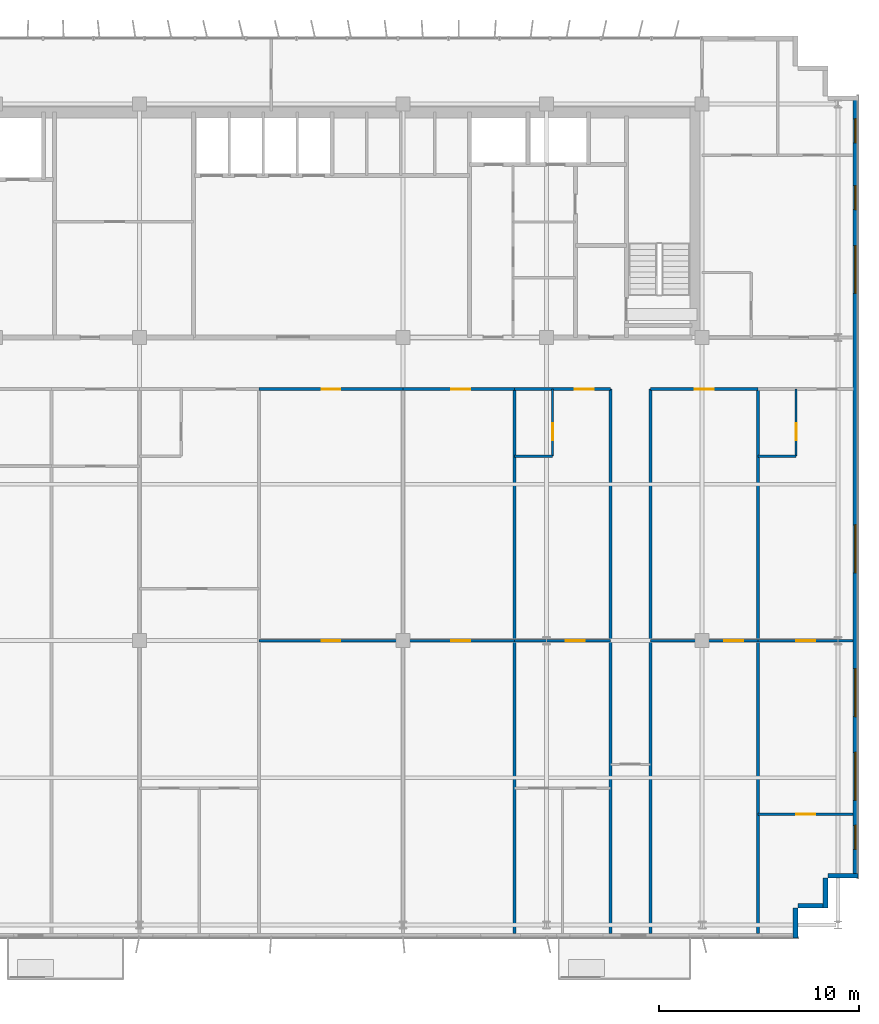
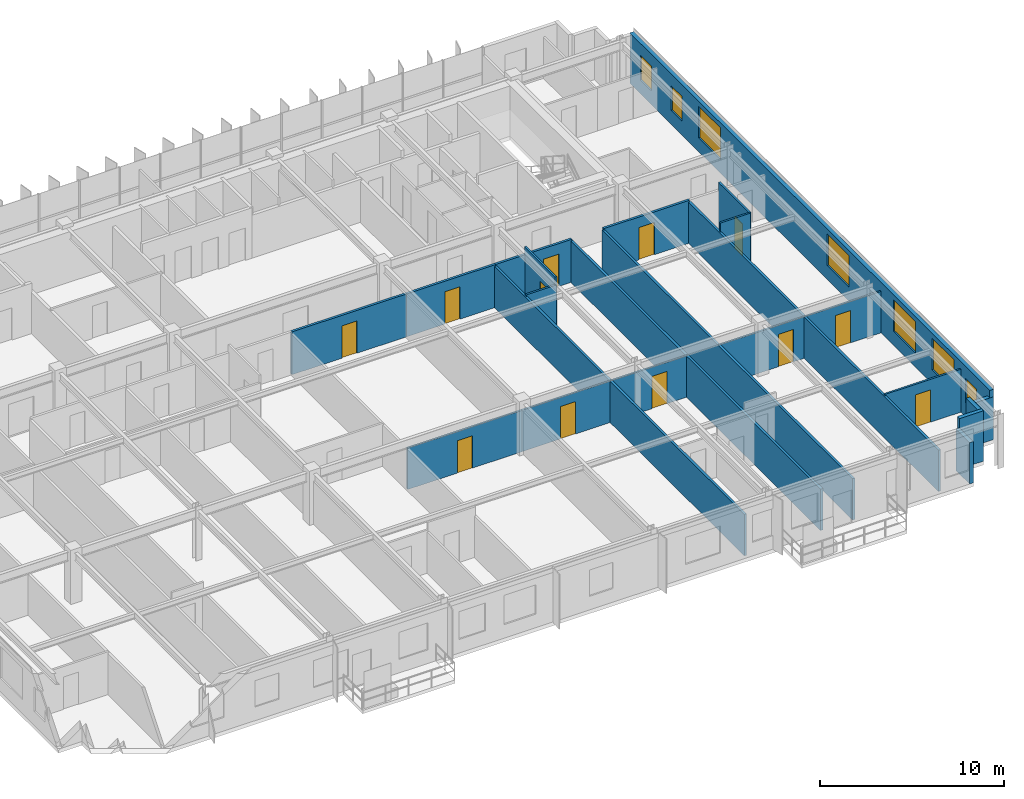
# One storey, part 16 of 21: 23 walls, 12 doors, 7 windows, 19 openings.
"""IFC4 building model written with IfcOpenShell, lengths in metres."""

from ifc_helpers import new_model, si_unit, direction, frame, frame_2d, origin, place, context, subcontext, project, spatial, rectangle, extrude, source, transform, mapped, material, layer, layer_set, type_object, element, fill, save


model = new_model("IFC4")

# Units and contexts
model_context = context("Model", 3, precision=1e-05, world=origin(), true_north=direction((0.0, 1.0)))
body_context = subcontext(model_context, "Body", "Model", "MODEL_VIEW")
ifc_project = project(units=[si_unit("LENGTHUNIT", "METRE"), si_unit("AREAUNIT", "SQUARE_METRE"), si_unit("VOLUMEUNIT", "CUBIC_METRE"), si_unit("PLANEANGLEUNIT", "RADIAN"), si_unit("MASSUNIT", "GRAM", prefix="KILO")], contexts=[model_context])

# Site, building, storey
site_placement = place(None, origin())
site = spatial("IfcSite", under=ifc_project, at=site_placement, CompositionType="ELEMENT")
building_placement = place(site_placement, origin())
building = spatial("IfcBuilding", under=site, at=building_placement, Name="Trelvane Seafront Commons", CompositionType="ELEMENT")
storey_placement = place(building_placement, frame((0.0, 0.0, 157.300048828125)))
storey = spatial("IfcBuildingStorey", under=building, at=storey_placement, Name="L41", CompositionType="ELEMENT", Elevation=157.300048828125)

# Wall, openings, windows
ifc_material_1 = material(Name="Precast concrete C40/50", Category="concrete")
ifc_layer_1 = layer(ifc_material_1, 0.239990234375, Name="ARCH-WALL-EXT240")
ifc_layer_set_1 = layer_set([ifc_layer_1], Name="Precast concrete C40/50")
wall_type_1 = type_object("IfcWallType", Name="ARCH-WALL-EXT240", PredefinedType="SOLIDWALL", material=ifc_layer_set_1)
wall_1_placement = place(storey_placement, frame((66.47998046875, 45.5, 0.0), z_axis=(0.0, 0.0, 1.0), x_axis=(0.0, -1.0, 0.0)))
wall_1 = element("IfcWall", 1, at=wall_1_placement, inside=storey, type_object=wall_type_1, Name="EW-L41-00814", PredefinedType="SOLIDWALL", context=body_context, shape_type="SweptSolid", body=[
    extrude(rectangle(XDim=39.199951171875, YDim=0.239990234375, at=frame_2d((19.60009765625, 0.0))), origin(), (0.0, 0.0, 1.0), 3.349853515625),
])
opening_1_placement = place(wall_1_placement, frame((36.550048828125, 0.0, 0.919921875)))
opening_1 = element("IfcOpeningElement", 2, at=opening_1_placement, cuts=wall_1, Name="Opening W05", PredefinedType="OPENING", context=body_context, shape_type="SweptSolid", body=[
    extrude(rectangle(XDim=1.199951171875, YDim=1.64990234375, at=frame_2d((0.60009765625, 0.824951171875))), frame((0.0, 0.1298828125, 0.0), z_axis=(0.0, -1.0, 0.0), x_axis=(1.0, 0.0, 0.0)), (0.0, 0.0, 1.0), 0.260009765625),
])
opening_2_placement = place(wall_1_placement, frame((32.89990234375, 0.0, 0.919921875)))
opening_2 = element("IfcOpeningElement", 3, at=opening_2_placement, cuts=wall_1, Name="Opening W08", PredefinedType="OPENING", context=body_context, shape_type="SweptSolid", body=[
    extrude(rectangle(XDim=2.39990234375, YDim=2.10009765625, at=frame_2d((1.199951171875, 1.050048828125))), frame((0.0, 0.1298828125, 0.0), z_axis=(0.0, -1.0, 0.0), x_axis=(1.0, 0.0, 0.0)), (0.0, 0.0, 1.0), 0.260009765625),
])
opening_3_placement = place(wall_1_placement, frame((28.699951171875, 0.0, 0.919921875)))
opening_3 = element("IfcOpeningElement", 4, at=opening_3_placement, cuts=wall_1, Name="Opening W08", PredefinedType="OPENING", context=body_context, shape_type="SweptSolid", body=[
    extrude(rectangle(XDim=2.39990234375, YDim=2.10009765625, at=frame_2d((1.199951171875, 1.050048828125))), frame((0.0, 0.1298828125, 0.0), z_axis=(0.0, -1.0, 0.0), x_axis=(1.0, 0.0, 0.0)), (0.0, 0.0, 1.0), 0.260009765625),
])
opening_4_placement = place(wall_1_placement, frame((21.5, 0.0, 0.919921875)))
opening_4 = element("IfcOpeningElement", 5, at=opening_4_placement, cuts=wall_1, Name="Opening W08", PredefinedType="OPENING", context=body_context, shape_type="SweptSolid", body=[
    extrude(rectangle(XDim=2.39990234375, YDim=2.10009765625, at=frame_2d((1.199951171875, 1.050048828125))), frame((0.0, 0.1298828125, 0.0), z_axis=(0.0, -1.0, 0.0), x_axis=(1.0, 0.0, 0.0)), (0.0, 0.0, 1.0), 0.260009765625),
])
opening_5_placement = place(wall_1_placement, frame((7.5, 0.0, 0.919921875)))
opening_5 = element("IfcOpeningElement", 6, at=opening_5_placement, cuts=wall_1, Name="Opening W08", PredefinedType="OPENING", context=body_context, shape_type="SweptSolid", body=[
    extrude(rectangle(XDim=2.39990234375, YDim=2.10009765625, at=frame_2d((1.199951171875, 1.050048828125))), frame((0.0, 0.1298828125, 0.0), z_axis=(0.0, -1.0, 0.0), x_axis=(1.0, 0.0, 0.0)), (0.0, 0.0, 1.0), 0.260009765625),
])
opening_6_placement = place(wall_1_placement, frame((4.5, 0.0, 0.919921875)))
opening_6 = element("IfcOpeningElement", 7, at=opening_6_placement, cuts=wall_1, Name="Opening W05", PredefinedType="OPENING", context=body_context, shape_type="SweptSolid", body=[
    extrude(rectangle(XDim=1.199951171875, YDim=1.64990234375, at=frame_2d((0.60009765625, 0.824951171875))), frame((0.0, 0.1298828125, 0.0), z_axis=(0.0, -1.0, 0.0), x_axis=(1.0, 0.0, 0.0)), (0.0, 0.0, 1.0), 0.260009765625),
])
opening_7_placement = place(wall_1_placement, frame((1.14990234375, 0.0, 0.919921875)))
opening_7 = element("IfcOpeningElement", 8, at=opening_7_placement, cuts=wall_1, Name="Opening W05", PredefinedType="OPENING", context=body_context, shape_type="SweptSolid", body=[
    extrude(rectangle(XDim=1.199951171875, YDim=1.64990234375, at=frame_2d((0.60009765625, 0.824951171875))), frame((0.0, 0.1298828125, 0.0), z_axis=(0.0, -1.0, 0.0), x_axis=(1.0, 0.0, 0.0)), (0.0, 0.0, 1.0), 0.260009765625),
])
ifc_material_2 = material(Name="Low-E coastal double glazing", Category="glass")
window_type_1 = type_object("IfcWindowType", Name="ARCH-WIN-W08", PartitioningType="SINGLE_PANEL", PredefinedType="WINDOW", material=ifc_material_2)
shared_shape_1 = source(origin(), body_context, "Body", "SweptSolid", [
    extrude(rectangle(XDim=2.39990234375, YDim=2.10009765625, at=frame_2d((1.199951171875, 1.050048828125))), frame((0.0, 0.030029296875, 0.0), z_axis=(0.0, -1.0, 0.0), x_axis=(1.0, 0.0, 0.0)), (0.0, 0.0, 1.0), 0.06005859375),
])
window_1_placement = place(opening_2_placement, origin())
window_1 = element("IfcWindow", 9, at=window_1_placement, inside=storey, type_object=window_type_1, Name="WIN-L41-EW-00964", OverallHeight=2.10009765625, OverallWidth=2.39990234375, PartitioningType="SINGLE_PANEL", PredefinedType="WINDOW", context=body_context, shape_type="MappedRepresentation", body=[
    mapped(shared_shape_1, transform((0.0, 0.0, 0.0), x_axis=(1.0, 0.0, 0.0), y_axis=(0.0, 1.0, 0.0), z_axis=(0.0, 0.0, 1.0), scale=1.0)),
])
fill(opening_2, window_1)
window_2_placement = place(opening_3_placement, origin())
window_2 = element("IfcWindow", 10, at=window_2_placement, inside=storey, type_object=window_type_1, Name="WIN-L41-EW-00965", OverallHeight=2.10009765625, OverallWidth=2.39990234375, PartitioningType="SINGLE_PANEL", PredefinedType="WINDOW", context=body_context, shape_type="MappedRepresentation", body=[
    mapped(shared_shape_1, transform((0.0, 0.0, 0.0), x_axis=(1.0, 0.0, 0.0), y_axis=(0.0, 1.0, 0.0), z_axis=(0.0, 0.0, 1.0), scale=1.0)),
])
fill(opening_3, window_2)
window_3_placement = place(opening_4_placement, origin())
window_3 = element("IfcWindow", 11, at=window_3_placement, inside=storey, type_object=window_type_1, Name="WIN-L41-EW-00966", OverallHeight=2.10009765625, OverallWidth=2.39990234375, PartitioningType="SINGLE_PANEL", PredefinedType="WINDOW", context=body_context, shape_type="MappedRepresentation", body=[
    mapped(shared_shape_1, transform((0.0, 0.0, 0.0), x_axis=(1.0, 0.0, 0.0), y_axis=(0.0, 1.0, 0.0), z_axis=(0.0, 0.0, 1.0), scale=1.0)),
])
fill(opening_4, window_3)
window_4_placement = place(opening_5_placement, origin())
window_4 = element("IfcWindow", 12, at=window_4_placement, inside=storey, type_object=window_type_1, Name="WIN-L41-EW-00967", OverallHeight=2.10009765625, OverallWidth=2.39990234375, PartitioningType="SINGLE_PANEL", PredefinedType="WINDOW", context=body_context, shape_type="MappedRepresentation", body=[
    mapped(shared_shape_1, transform((0.0, 0.0, 0.0), x_axis=(1.0, 0.0, 0.0), y_axis=(0.0, 1.0, 0.0), z_axis=(0.0, 0.0, 1.0), scale=1.0)),
])
fill(opening_5, window_4)
window_type_2 = type_object("IfcWindowType", Name="ARCH-WIN-W05", PartitioningType="SINGLE_PANEL", PredefinedType="WINDOW", material=ifc_material_2)
shared_shape_2 = source(origin(), body_context, "Body", "SweptSolid", [
    extrude(rectangle(XDim=1.199951171875, YDim=1.64990234375, at=frame_2d((0.60009765625, 0.824951171875))), frame((0.0, 0.030029296875, 0.0), z_axis=(0.0, -1.0, 0.0), x_axis=(1.0, 0.0, 0.0)), (0.0, 0.0, 1.0), 0.06005859375),
])
window_5_placement = place(opening_1_placement, origin())
window_5 = element("IfcWindow", 13, at=window_5_placement, inside=storey, type_object=window_type_2, Name="WIN-L41-EW-00963", OverallHeight=1.64990234375, OverallWidth=1.199951171875, PartitioningType="SINGLE_PANEL", PredefinedType="WINDOW", context=body_context, shape_type="MappedRepresentation", body=[
    mapped(shared_shape_2, transform((0.0, 0.0, 0.0), x_axis=(1.0, 0.0, 0.0), y_axis=(0.0, 1.0, 0.0), z_axis=(0.0, 0.0, 1.0), scale=1.0)),
])
fill(opening_1, window_5)
window_6_placement = place(opening_6_placement, origin())
window_6 = element("IfcWindow", 14, at=window_6_placement, inside=storey, type_object=window_type_2, Name="WIN-L41-EW-00968", OverallHeight=1.64990234375, OverallWidth=1.199951171875, PartitioningType="SINGLE_PANEL", PredefinedType="WINDOW", context=body_context, shape_type="MappedRepresentation", body=[
    mapped(shared_shape_2, transform((0.0, 0.0, 0.0), x_axis=(1.0, 0.0, 0.0), y_axis=(0.0, 1.0, 0.0), z_axis=(0.0, 0.0, 1.0), scale=1.0)),
])
fill(opening_6, window_6)
window_7_placement = place(opening_7_placement, origin())
window_7 = element("IfcWindow", 15, at=window_7_placement, inside=storey, type_object=window_type_2, Name="WIN-L41-EW-00969", OverallHeight=1.64990234375, OverallWidth=1.199951171875, PartitioningType="SINGLE_PANEL", PredefinedType="WINDOW", context=body_context, shape_type="MappedRepresentation", body=[
    mapped(shared_shape_2, transform((0.0, 0.0, 0.0), x_axis=(1.0, 0.0, 0.0), y_axis=(0.0, 1.0, 0.0), z_axis=(0.0, 0.0, 1.0), scale=1.0)),
])
fill(opening_7, window_7)

# Walls
wall_2_placement = place(storey_placement, frame((66.60009765625, 6.419921875, 0.0), z_axis=(0.0, 0.0, 1.0), x_axis=(-1.0, 0.0, 0.0)))
element("IfcWall", 16, at=wall_2_placement, inside=storey, type_object=wall_type_1, Name="EW-L41-00815", PredefinedType="SOLIDWALL", context=body_context, shape_type="SweptSolid", body=[
    extrude(rectangle(XDim=1.5, YDim=0.239990234375, at=frame_2d((0.75, 0.0))), origin(), (0.0, 0.0, 1.0), 2.849853515625),
])
for number, where, z_axis, x_axis, name in (
    (17, (64.97998046875, 6.300048828125, 0.0), (0.0, 0.0, 1.0), (0.0, -1.0, 0.0), "EW-L41-00816"),
    (18, (65.10009765625, 4.919921875, 0.0), (0.0, 0.0, 1.0), (-1.0, 0.0, 0.0), "EW-L41-00817"),
):
    element("IfcWall", number, at=place(storey_placement, frame(where, z_axis=z_axis, x_axis=x_axis)), inside=storey, type_object=wall_type_1, Name=name, PredefinedType="SOLIDWALL", context=body_context, shape_type="SweptSolid", body=[
        extrude(rectangle(XDim=1.5, YDim=0.239990234375, at=frame_2d((0.75, 0.0))), origin(), (0.0, 0.0, 1.0), 3.349853515625),
    ])
wall_3_placement = place(storey_placement, frame((63.47998046875, 4.800048828125, 0.0), z_axis=(0.0, 0.0, 1.0), x_axis=(0.0, -1.0, 0.0)))
element("IfcWall", 19, at=wall_3_placement, inside=storey, type_object=wall_type_1, Name="EW-L41-00818", PredefinedType="SOLIDWALL", context=body_context, shape_type="SweptSolid", body=[
    extrude(rectangle(XDim=1.5, YDim=0.239990234375, at=frame_2d((0.75, 0.0))), origin(), (0.0, 0.0, 1.0), 2.75),
])

# Wall, opening, door
ifc_material_3 = material(Name="Gypsum Drywall Acoustic Partition")
ifc_layer_2 = layer(ifc_material_3, 0.1201171875, Name="ARCH-WALL-PART120")
ifc_layer_set_2 = layer_set([ifc_layer_2], Name="Gypsum Drywall Acoustic Partition")
wall_type_2 = type_object("IfcWallType", Name="ARCH-WALL-PART120", PredefinedType="PARTITIONING", material=ifc_layer_set_2)
wall_4_placement = place(storey_placement, frame((36.60009765625, 18.199951171875, 0.0), z_axis=(0.0, 0.0, 1.0), x_axis=(1.0, 0.0, 0.0)))
wall_4 = element("IfcWall", 20, at=wall_4_placement, inside=storey, type_object=wall_type_2, Name="W-L41-U7-DIV-076", PredefinedType="PARTITIONING", context=body_context, shape_type="SweptSolid", body=[
    extrude(rectangle(XDim=7.199951171875, YDim=0.1201171875, at=frame_2d((3.60009765625, 0.0))), origin(), (0.0, 0.0, 1.0), 2.75),
])
opening_8_placement = place(wall_4_placement, frame((3.125, 0.0, 0.0)))
opening_8 = element("IfcOpeningElement", 21, at=opening_8_placement, cuts=wall_4, Name="Opening D-L41-46", PredefinedType="OPENING", context=body_context, shape_type="SweptSolid", body=[
    extrude(rectangle(XDim=0.949951171875, YDim=2.14990234375, at=frame_2d((0.47509765625, 1.074951171875))), frame((0.0, 0.070068359375, 0.0), z_axis=(0.0, -1.0, 0.0), x_axis=(1.0, 0.0, 0.0)), (0.0, 0.0, 1.0), 0.14013671875),
])
ifc_material_4 = material(Name="Acoustic timber door leaf", Category="wood")
door_type_1 = type_object("IfcDoorType", Name="ARCH-DR-INT950", OperationType="NOTDEFINED", PredefinedType="DOOR", material=ifc_material_4)
shared_shape_3 = source(origin(), body_context, "Body", "SweptSolid", [
    extrude(rectangle(XDim=0.949951171875, YDim=2.14990234375, at=frame_2d((0.47509765625, 1.074951171875))), frame((0.0, 0.02490234375, 0.0), z_axis=(0.0, -1.0, 0.0), x_axis=(1.0, 0.0, 0.0)), (0.0, 0.0, 1.0), 0.050048828125),
])
door_1_placement = place(opening_8_placement, origin())
door_1 = element("IfcDoor", 22, at=door_1_placement, inside=storey, type_object=door_type_1, Name="L41 Door 46", OperationType="SINGLE_SWING_RIGHT", OverallHeight=2.14990234375, OverallWidth=0.949951171875, PredefinedType="DOOR", context=body_context, shape_type="MappedRepresentation", body=[
    mapped(shared_shape_3, transform((0.0, 0.0, 0.0), x_axis=(1.0, 0.0, 0.0), y_axis=(0.0, 1.0, 0.0), z_axis=(0.0, 0.0, 1.0), scale=1.0)),
])
fill(opening_8, door_1)

wall_5_placement = place(storey_placement, frame((43.800048828125, 18.199951171875, 0.0), z_axis=(0.0, 0.0, 1.0), x_axis=(1.0, 0.0, 0.0)))
wall_5 = element("IfcWall", 23, at=wall_5_placement, inside=storey, type_object=wall_type_2, Name="W-L41-U8-DIV-078", PredefinedType="PARTITIONING", context=body_context, shape_type="SweptSolid", body=[
    extrude(rectangle(XDim=5.599853515625, YDim=0.1201171875, at=frame_2d((2.7998046875, 0.0))), origin(), (0.0, 0.0, 1.0), 2.75),
])
opening_9_placement = place(wall_5_placement, frame((2.41796875, 0.0, 0.0)))
opening_9 = element("IfcOpeningElement", 24, at=opening_9_placement, cuts=wall_5, Name="Opening D-L41-48", PredefinedType="OPENING", context=body_context, shape_type="SweptSolid", body=[
    extrude(rectangle(XDim=0.949951171875, YDim=2.14990234375, at=frame_2d((0.47509765625, 1.074951171875))), frame((0.0, 0.070068359375, 0.0), z_axis=(0.0, -1.0, 0.0), x_axis=(1.0, 0.0, 0.0)), (0.0, 0.0, 1.0), 0.14013671875),
])
door_2_placement = place(opening_9_placement, origin())
door_2 = element("IfcDoor", 25, at=door_2_placement, inside=storey, type_object=door_type_1, Name="L41 Door 48", OperationType="SINGLE_SWING_RIGHT", OverallHeight=2.14990234375, OverallWidth=0.949951171875, PredefinedType="DOOR", context=body_context, shape_type="MappedRepresentation", body=[
    mapped(shared_shape_3, transform((0.0, 0.0, 0.0), x_axis=(1.0, 0.0, 0.0), y_axis=(0.0, 1.0, 0.0), z_axis=(0.0, 0.0, 1.0), scale=1.0)),
])
fill(opening_9, door_2)

wall_6_placement = place(storey_placement, frame((49.39990234375, 18.199951171875, 0.0), z_axis=(0.0, 0.0, 1.0), x_axis=(1.0, 0.0, 0.0)))
wall_6 = element("IfcWall", 26, at=wall_6_placement, inside=storey, type_object=wall_type_2, Name="W-L41-U9-KL-079", PredefinedType="PARTITIONING", context=body_context, shape_type="SweptSolid", body=[
    extrude(rectangle(XDim=4.800048828125, YDim=0.1201171875, at=frame_2d((2.39990234375, 0.0))), origin(), (0.0, 0.0, 1.0), 2.75),
])
opening_10_placement = place(wall_6_placement, frame((2.56103515625, 0.0, 0.0)))
opening_10 = element("IfcOpeningElement", 27, at=opening_10_placement, cuts=wall_6, Name="Opening D-L41-49", PredefinedType="OPENING", context=body_context, shape_type="SweptSolid", body=[
    extrude(rectangle(XDim=0.949951171875, YDim=2.14990234375, at=frame_2d((0.47509765625, 1.074951171875))), frame((0.0, 0.070068359375, 0.0), z_axis=(0.0, -1.0, 0.0), x_axis=(1.0, 0.0, 0.0)), (0.0, 0.0, 1.0), 0.14013671875),
])
door_3_placement = place(opening_10_placement, origin())
door_3 = element("IfcDoor", 28, at=door_3_placement, inside=storey, type_object=door_type_1, Name="L41 Door 49", OperationType="SINGLE_SWING_LEFT", OverallHeight=2.14990234375, OverallWidth=0.949951171875, PredefinedType="DOOR", context=body_context, shape_type="MappedRepresentation", body=[
    mapped(shared_shape_3, transform((0.0, 0.0, 0.0), x_axis=(1.0, 0.0, 0.0), y_axis=(0.0, 1.0, 0.0), z_axis=(0.0, 0.0, 1.0), scale=1.0)),
])
fill(opening_10, door_3)

wall_7_placement = place(storey_placement, frame((51.300048828125, 27.449951171875, 0.0), z_axis=(0.0, 0.0, 1.0), x_axis=(0.0, 1.0, 0.0)))
wall_7 = element("IfcWall", 29, at=wall_7_placement, inside=storey, type_object=wall_type_2, Name="W-L41-U9-BE-080", PredefinedType="PARTITIONING", context=body_context, shape_type="SweptSolid", body=[
    extrude(rectangle(XDim=3.35009765625, YDim=0.1201171875, at=frame_2d((1.675048828125, 0.0))), origin(), (0.0, 0.0, 1.0), 3.349853515625),
])
opening_11_placement = place(wall_7_placement, frame((0.800048828125, 0.0, 0.0)))
opening_11 = element("IfcOpeningElement", 30, at=opening_11_placement, cuts=wall_7, Name="Opening D-L41-50", PredefinedType="OPENING", context=body_context, shape_type="SweptSolid", body=[
    extrude(rectangle(XDim=0.85009765625, YDim=2.10009765625, at=frame_2d((0.425048828125, 1.050048828125))), frame((0.0, 0.070068359375, 0.0), z_axis=(0.0, -1.0, 0.0), x_axis=(1.0, 0.0, 0.0)), (0.0, 0.0, 1.0), 0.14013671875),
])
door_type_2 = type_object("IfcDoorType", Name="ARCH-DR-INT850", OperationType="NOTDEFINED", PredefinedType="DOOR", material=ifc_material_4)
shared_shape_4 = source(origin(), body_context, "Body", "SweptSolid", [
    extrude(rectangle(XDim=0.85009765625, YDim=2.10009765625, at=frame_2d((0.425048828125, 1.050048828125))), frame((0.0, 0.02490234375, 0.0), z_axis=(0.0, -1.0, 0.0), x_axis=(1.0, 0.0, 0.0)), (0.0, 0.0, 1.0), 0.050048828125),
])
door_4_placement = place(opening_11_placement, origin())
door_4 = element("IfcDoor", 31, at=door_4_placement, inside=storey, type_object=door_type_2, Name="L41 Door 50", OperationType="SINGLE_SWING_RIGHT", OverallHeight=2.10009765625, OverallWidth=0.85009765625, PredefinedType="DOOR", context=body_context, shape_type="MappedRepresentation", body=[
    mapped(shared_shape_4, transform((0.0, 0.0, 0.0), x_axis=(1.0, 0.0, 0.0), y_axis=(0.0, 1.0, 0.0), z_axis=(0.0, 0.0, 1.0), scale=1.0)),
])
fill(opening_11, door_4)

# Wall
wall_8_placement = place(storey_placement, frame((49.39990234375, 27.449951171875, 0.0), z_axis=(0.0, 0.0, 1.0), x_axis=(1.0, 0.0, 0.0)))
element("IfcWall", 32, at=wall_8_placement, inside=storey, type_object=wall_type_2, Name="W-L41-U9-BS-081", PredefinedType="PARTITIONING", context=body_context, shape_type="SweptSolid", body=[
    extrude(rectangle(XDim=1.900146484375, YDim=0.1201171875, at=frame_2d((0.9501953125, 0.0))), origin(), (0.0, 0.0, 1.0), 2.849853515625),
])

# Wall, opening, door
wall_9_placement = place(storey_placement, frame((56.199951171875, 18.199951171875, 0.0), z_axis=(0.0, 0.0, 1.0), x_axis=(1.0, 0.0, 0.0)))
wall_9 = element("IfcWall", 33, at=wall_9_placement, inside=storey, type_object=wall_type_2, Name="W-L41-U11-DIV-090", PredefinedType="PARTITIONING", context=body_context, shape_type="SweptSolid", body=[
    extrude(rectangle(XDim=5.400146484375, YDim=0.1201171875, at=frame_2d((2.7001953125, 0.0))), origin(), (0.0, 0.0, 1.0), 2.75),
])
opening_12_placement = place(wall_9_placement, frame((3.700927734375, 0.0, 0.0)))
opening_12 = element("IfcOpeningElement", 34, at=opening_12_placement, cuts=wall_9, Name="Opening D-L41-56", PredefinedType="OPENING", context=body_context, shape_type="SweptSolid", body=[
    extrude(rectangle(XDim=0.949951171875, YDim=2.14990234375, at=frame_2d((0.47509765625, 1.074951171875))), frame((0.0, 0.070068359375, 0.0), z_axis=(0.0, -1.0, 0.0), x_axis=(1.0, 0.0, 0.0)), (0.0, 0.0, 1.0), 0.14013671875),
])
door_5_placement = place(opening_12_placement, origin())
door_5 = element("IfcDoor", 35, at=door_5_placement, inside=storey, type_object=door_type_1, Name="L41 Door 56", OperationType="SINGLE_SWING_RIGHT", OverallHeight=2.14990234375, OverallWidth=0.949951171875, PredefinedType="DOOR", context=body_context, shape_type="MappedRepresentation", body=[
    mapped(shared_shape_3, transform((0.0, 0.0, 0.0), x_axis=(1.0, 0.0, 0.0), y_axis=(0.0, 1.0, 0.0), z_axis=(0.0, 0.0, 1.0), scale=1.0)),
])
fill(opening_12, door_5)

wall_10_placement = place(storey_placement, frame((61.60009765625, 18.199951171875, 0.0), z_axis=(0.0, 0.0, 1.0), x_axis=(1.0, 0.0, 0.0)))
wall_10 = element("IfcWall", 36, at=wall_10_placement, inside=storey, type_object=wall_type_2, Name="W-L41-U12-KL-091", PredefinedType="PARTITIONING", context=body_context, shape_type="SweptSolid", body=[
    extrude(rectangle(XDim=4.760009765625, YDim=0.1201171875, at=frame_2d((2.3798828125, 0.0))), origin(), (0.0, 0.0, 1.0), 2.75),
])
opening_13_placement = place(wall_10_placement, frame((1.905029296875, 0.0, 0.0)))
opening_13 = element("IfcOpeningElement", 37, at=opening_13_placement, cuts=wall_10, Name="Opening D-L41-57", PredefinedType="OPENING", context=body_context, shape_type="SweptSolid", body=[
    extrude(rectangle(XDim=0.949951171875, YDim=2.14990234375, at=frame_2d((0.47509765625, 1.074951171875))), frame((0.0, 0.070068359375, 0.0), z_axis=(0.0, -1.0, 0.0), x_axis=(1.0, 0.0, 0.0)), (0.0, 0.0, 1.0), 0.14013671875),
])
door_6_placement = place(opening_13_placement, origin())
door_6 = element("IfcDoor", 38, at=door_6_placement, inside=storey, type_object=door_type_1, Name="L41 Door 57", OperationType="SINGLE_SWING_LEFT", OverallHeight=2.14990234375, OverallWidth=0.949951171875, PredefinedType="DOOR", context=body_context, shape_type="MappedRepresentation", body=[
    mapped(shared_shape_3, transform((0.0, 0.0, 0.0), x_axis=(1.0, 0.0, 0.0), y_axis=(0.0, 1.0, 0.0), z_axis=(0.0, 0.0, 1.0), scale=1.0)),
])
fill(opening_13, door_6)

wall_11_placement = place(storey_placement, frame((63.5, 27.449951171875, 0.0), z_axis=(0.0, 0.0, 1.0), x_axis=(0.0, 1.0, 0.0)))
wall_11 = element("IfcWall", 39, at=wall_11_placement, inside=storey, type_object=wall_type_2, Name="W-L41-U12-BE-092", PredefinedType="PARTITIONING", context=body_context, shape_type="SweptSolid", body=[
    extrude(rectangle(XDim=3.35009765625, YDim=0.1201171875, at=frame_2d((1.675048828125, 0.0))), origin(), (0.0, 0.0, 1.0), 3.349853515625),
])
opening_14_placement = place(wall_11_placement, frame((0.800048828125, 0.0, 0.0)))
opening_14 = element("IfcOpeningElement", 40, at=opening_14_placement, cuts=wall_11, Name="Opening D-L41-58", PredefinedType="OPENING", context=body_context, shape_type="SweptSolid", body=[
    extrude(rectangle(XDim=0.85009765625, YDim=2.10009765625, at=frame_2d((0.425048828125, 1.050048828125))), frame((0.0, 0.070068359375, 0.0), z_axis=(0.0, -1.0, 0.0), x_axis=(1.0, 0.0, 0.0)), (0.0, 0.0, 1.0), 0.14013671875),
])
door_7_placement = place(opening_14_placement, origin())
door_7 = element("IfcDoor", 41, at=door_7_placement, inside=storey, type_object=door_type_2, Name="L41 Door 58", OperationType="SINGLE_SWING_RIGHT", OverallHeight=2.10009765625, OverallWidth=0.85009765625, PredefinedType="DOOR", context=body_context, shape_type="MappedRepresentation", body=[
    mapped(shared_shape_4, transform((0.0, 0.0, 0.0), x_axis=(1.0, 0.0, 0.0), y_axis=(0.0, 1.0, 0.0), z_axis=(0.0, 0.0, 1.0), scale=1.0)),
])
fill(opening_14, door_7)

# Wall
wall_12_placement = place(storey_placement, frame((61.60009765625, 27.449951171875, 0.0), z_axis=(0.0, 0.0, 1.0), x_axis=(1.0, 0.0, 0.0)))
element("IfcWall", 42, at=wall_12_placement, inside=storey, type_object=wall_type_2, Name="W-L41-U12-BS-093", PredefinedType="PARTITIONING", context=body_context, shape_type="SweptSolid", body=[
    extrude(rectangle(XDim=1.89990234375, YDim=0.1201171875, at=frame_2d((0.949951171875, 0.0))), origin(), (0.0, 0.0, 1.0), 3.349853515625),
])

# Wall, opening, door
wall_13_placement = place(storey_placement, frame((61.60009765625, 9.5, 0.0), z_axis=(0.0, 0.0, 1.0), x_axis=(1.0, 0.0, 0.0)))
wall_13 = element("IfcWall", 43, at=wall_13_placement, inside=storey, type_object=wall_type_2, Name="W-L41-U12-YM-1-095", PredefinedType="PARTITIONING", context=body_context, shape_type="SweptSolid", body=[
    extrude(rectangle(XDim=4.760009765625, YDim=0.1201171875, at=frame_2d((2.3798828125, 0.0))), origin(), (0.0, 0.0, 1.0), 2.849853515625),
])
opening_15_placement = place(wall_13_placement, frame((1.905029296875, 0.0, 0.0)))
opening_15 = element("IfcOpeningElement", 44, at=opening_15_placement, cuts=wall_13, Name="Opening D-L41-60", PredefinedType="OPENING", context=body_context, shape_type="SweptSolid", body=[
    extrude(rectangle(XDim=0.949951171875, YDim=2.14990234375, at=frame_2d((0.47509765625, 1.074951171875))), frame((0.0, 0.070068359375, 0.0), z_axis=(0.0, -1.0, 0.0), x_axis=(1.0, 0.0, 0.0)), (0.0, 0.0, 1.0), 0.14013671875),
])
door_8_placement = place(opening_15_placement, origin())
door_8 = element("IfcDoor", 45, at=door_8_placement, inside=storey, type_object=door_type_1, Name="L41 Door 60", OperationType="SINGLE_SWING_RIGHT", OverallHeight=2.14990234375, OverallWidth=0.949951171875, PredefinedType="DOOR", context=body_context, shape_type="MappedRepresentation", body=[
    mapped(shared_shape_3, transform((0.0, 0.0, 0.0), x_axis=(1.0, 0.0, 0.0), y_axis=(0.0, 1.0, 0.0), z_axis=(0.0, 0.0, 1.0), scale=1.0)),
])
fill(opening_15, door_8)

# Walls
ifc_layer_3 = layer(ifc_material_3, 0.14990234375, Name="ARCH-WALL-PART150")
ifc_layer_set_3 = layer_set([ifc_layer_3], Name="Gypsum Drywall Acoustic Partition")
wall_type_3 = type_object("IfcWallType", Name="ARCH-WALL-PART150", PredefinedType="PARTITIONING", material=ifc_layer_set_3)
for number, where, z_axis, x_axis, name in (
    (46, (49.39990234375, 3.52490234375, 0.0), (0.0, 0.0, 1.0), (0.0, 1.0, 0.0), "W-L41-PW-8-052"),
    (47, (61.60009765625, 3.52490234375, 0.0), (0.0, 0.0, 1.0), (0.0, 1.0, 0.0), "W-L41-PW-11-053"),
):
    element("IfcWall", number, at=place(storey_placement, frame(where, z_axis=z_axis, x_axis=x_axis)), inside=storey, type_object=wall_type_3, Name=name, PredefinedType="PARTITIONING", context=body_context, shape_type="SweptSolid", body=[
        extrude(rectangle(XDim=27.275146484375, YDim=0.14990234375, at=frame_2d((13.6376953125, 0.0))), origin(), (0.0, 0.0, 1.0), 2.75),
    ])

# Wall, opening, door
wall_14_placement = place(storey_placement, frame((36.60009765625, 30.800048828125, 0.0), z_axis=(0.0, 0.0, 1.0), x_axis=(1.0, 0.0, 0.0)))
wall_14 = element("IfcWall", 48, at=wall_14_placement, inside=storey, type_object=wall_type_3, Name="W-L41-CS-BAY-7-075", PredefinedType="PARTITIONING", context=body_context, shape_type="SweptSolid", body=[
    extrude(rectangle(XDim=7.199951171875, YDim=0.14990234375, at=frame_2d((3.60009765625, 0.0))), origin(), (0.0, 0.0, 1.0), 2.849853515625),
])
opening_16_placement = place(wall_14_placement, frame((3.125, 0.0, 0.0)))
opening_16 = element("IfcOpeningElement", 49, at=opening_16_placement, cuts=wall_14, Name="Opening FD-L41-45", PredefinedType="OPENING", context=body_context, shape_type="SweptSolid", body=[
    extrude(rectangle(XDim=0.949951171875, YDim=2.14990234375, at=frame_2d((0.47509765625, 1.074951171875))), frame((0.0, 0.0849609375, 0.0), z_axis=(0.0, -1.0, 0.0), x_axis=(1.0, 0.0, 0.0)), (0.0, 0.0, 1.0), 0.169921875),
])
ifc_material_5 = material(Name="Powder-coated aluminium frame", Category="aluminium")
door_type_3 = type_object("IfcDoorType", Name="ARCH-DR-FD60-950", OperationType="NOTDEFINED", PredefinedType="DOOR", material=ifc_material_5)
door_9_placement = place(opening_16_placement, origin())
door_9 = element("IfcDoor", 50, at=door_9_placement, inside=storey, type_object=door_type_3, Name="L41 Bay 07 Entrance Door", OperationType="SINGLE_SWING_LEFT", OverallHeight=2.14990234375, OverallWidth=0.949951171875, PredefinedType="DOOR", context=body_context, shape_type="MappedRepresentation", body=[
    mapped(shared_shape_3, transform((0.0, 0.0, 0.0), x_axis=(1.0, 0.0, 0.0), y_axis=(0.0, 1.0, 0.0), z_axis=(0.0, 0.0, 1.0), scale=1.0)),
])
fill(opening_16, door_9)

wall_15_placement = place(storey_placement, frame((43.800048828125, 30.800048828125, 0.0), z_axis=(0.0, 0.0, 1.0), x_axis=(1.0, 0.0, 0.0)))
wall_15 = element("IfcWall", 51, at=wall_15_placement, inside=storey, type_object=wall_type_3, Name="W-L41-CS-BAY-8-077", PredefinedType="PARTITIONING", context=body_context, shape_type="SweptSolid", body=[
    extrude(rectangle(XDim=5.599853515625, YDim=0.14990234375, at=frame_2d((2.7998046875, 0.0))), origin(), (0.0, 0.0, 1.0), 2.849853515625),
])
opening_17_placement = place(wall_15_placement, frame((2.41796875, 0.0, 0.0)))
opening_17 = element("IfcOpeningElement", 52, at=opening_17_placement, cuts=wall_15, Name="Opening FD-L41-47", PredefinedType="OPENING", context=body_context, shape_type="SweptSolid", body=[
    extrude(rectangle(XDim=0.949951171875, YDim=2.14990234375, at=frame_2d((0.47509765625, 1.074951171875))), frame((0.0, 0.0849609375, 0.0), z_axis=(0.0, -1.0, 0.0), x_axis=(1.0, 0.0, 0.0)), (0.0, 0.0, 1.0), 0.169921875),
])
door_10_placement = place(opening_17_placement, origin())
door_10 = element("IfcDoor", 53, at=door_10_placement, inside=storey, type_object=door_type_3, Name="L41 Bay 08 Entrance Door", OperationType="SINGLE_SWING_LEFT", OverallHeight=2.14990234375, OverallWidth=0.949951171875, PredefinedType="DOOR", context=body_context, shape_type="MappedRepresentation", body=[
    mapped(shared_shape_3, transform((0.0, 0.0, 0.0), x_axis=(1.0, 0.0, 0.0), y_axis=(0.0, 1.0, 0.0), z_axis=(0.0, 0.0, 1.0), scale=1.0)),
])
fill(opening_17, door_10)

wall_16_placement = place(storey_placement, frame((49.39990234375, 30.800048828125, 0.0), z_axis=(0.0, 0.0, 1.0), x_axis=(1.0, 0.0, 0.0)))
wall_16 = element("IfcWall", 54, at=wall_16_placement, inside=storey, type_object=wall_type_3, Name="W-L41-CS-BAY-9-082", PredefinedType="PARTITIONING", context=body_context, shape_type="SweptSolid", body=[
    extrude(rectangle(XDim=4.800048828125, YDim=0.14990234375, at=frame_2d((2.39990234375, 0.0))), origin(), (0.0, 0.0, 1.0), 2.849853515625),
])
opening_18_placement = place(wall_16_placement, frame((3.01904296875, 0.0, 0.0)))
opening_18 = element("IfcOpeningElement", 55, at=opening_18_placement, cuts=wall_16, Name="Opening FD-L41-51", PredefinedType="OPENING", context=body_context, shape_type="SweptSolid", body=[
    extrude(rectangle(XDim=0.949951171875, YDim=2.14990234375, at=frame_2d((0.47509765625, 1.074951171875))), frame((0.0, 0.0849609375, 0.0), z_axis=(0.0, -1.0, 0.0), x_axis=(1.0, 0.0, 0.0)), (0.0, 0.0, 1.0), 0.169921875),
])
door_11_placement = place(opening_18_placement, origin())
door_11 = element("IfcDoor", 56, at=door_11_placement, inside=storey, type_object=door_type_3, Name="L41 Unit 09 Entrance Door", OperationType="SINGLE_SWING_LEFT", OverallHeight=2.14990234375, OverallWidth=0.949951171875, PredefinedType="DOOR", context=body_context, shape_type="MappedRepresentation", body=[
    mapped(shared_shape_3, transform((0.0, 0.0, 0.0), x_axis=(1.0, 0.0, 0.0), y_axis=(0.0, 1.0, 0.0), z_axis=(0.0, 0.0, 1.0), scale=1.0)),
])
fill(opening_18, door_11)

# Walls
for number, where, z_axis, x_axis, name in (
    (57, (54.199951171875, 3.52490234375, 0.0), (0.0, 0.0, 1.0), (0.0, 1.0, 0.0), "W-L41-ARM-W-10-086"),
    (58, (56.199951171875, 3.52490234375, 0.0), (0.0, 0.0, 1.0), (0.0, 1.0, 0.0), "W-L41-ARM-E-10-087"),
):
    element("IfcWall", number, at=place(storey_placement, frame(where, z_axis=z_axis, x_axis=x_axis)), inside=storey, type_object=wall_type_3, Name=name, PredefinedType="PARTITIONING", context=body_context, shape_type="SweptSolid", body=[
        extrude(rectangle(XDim=27.275146484375, YDim=0.14990234375, at=frame_2d((13.6376953125, 0.0))), origin(), (0.0, 0.0, 1.0), 2.75),
    ])

# Wall, opening, door
wall_17_placement = place(storey_placement, frame((56.199951171875, 30.800048828125, 0.0), z_axis=(0.0, 0.0, 1.0), x_axis=(1.0, 0.0, 0.0)))
wall_17 = element("IfcWall", 59, at=wall_17_placement, inside=storey, type_object=wall_type_3, Name="W-L41-CS-BAY-11-089", PredefinedType="PARTITIONING", context=body_context, shape_type="SweptSolid", body=[
    extrude(rectangle(XDim=5.400146484375, YDim=0.14990234375, at=frame_2d((2.7001953125, 0.0))), origin(), (0.0, 0.0, 1.0), 2.849853515625),
])
opening_19_placement = place(wall_17_placement, frame((2.22509765625, 0.0, 0.0)))
opening_19 = element("IfcOpeningElement", 60, at=opening_19_placement, cuts=wall_17, Name="Opening FD-L41-55", PredefinedType="OPENING", context=body_context, shape_type="SweptSolid", body=[
    extrude(rectangle(XDim=0.949951171875, YDim=2.14990234375, at=frame_2d((0.47509765625, 1.074951171875))), frame((0.0, 0.0849609375, 0.0), z_axis=(0.0, -1.0, 0.0), x_axis=(1.0, 0.0, 0.0)), (0.0, 0.0, 1.0), 0.169921875),
])
door_12_placement = place(opening_19_placement, origin())
door_12 = element("IfcDoor", 61, at=door_12_placement, inside=storey, type_object=door_type_3, Name="L41 Bay 11 Entrance Door", OperationType="SINGLE_SWING_LEFT", OverallHeight=2.14990234375, OverallWidth=0.949951171875, PredefinedType="DOOR", context=body_context, shape_type="MappedRepresentation", body=[
    mapped(shared_shape_3, transform((0.0, 0.0, 0.0), x_axis=(1.0, 0.0, 0.0), y_axis=(0.0, 1.0, 0.0), z_axis=(0.0, 0.0, 1.0), scale=1.0)),
])
fill(opening_19, door_12)

save(model, "model.ifc")
